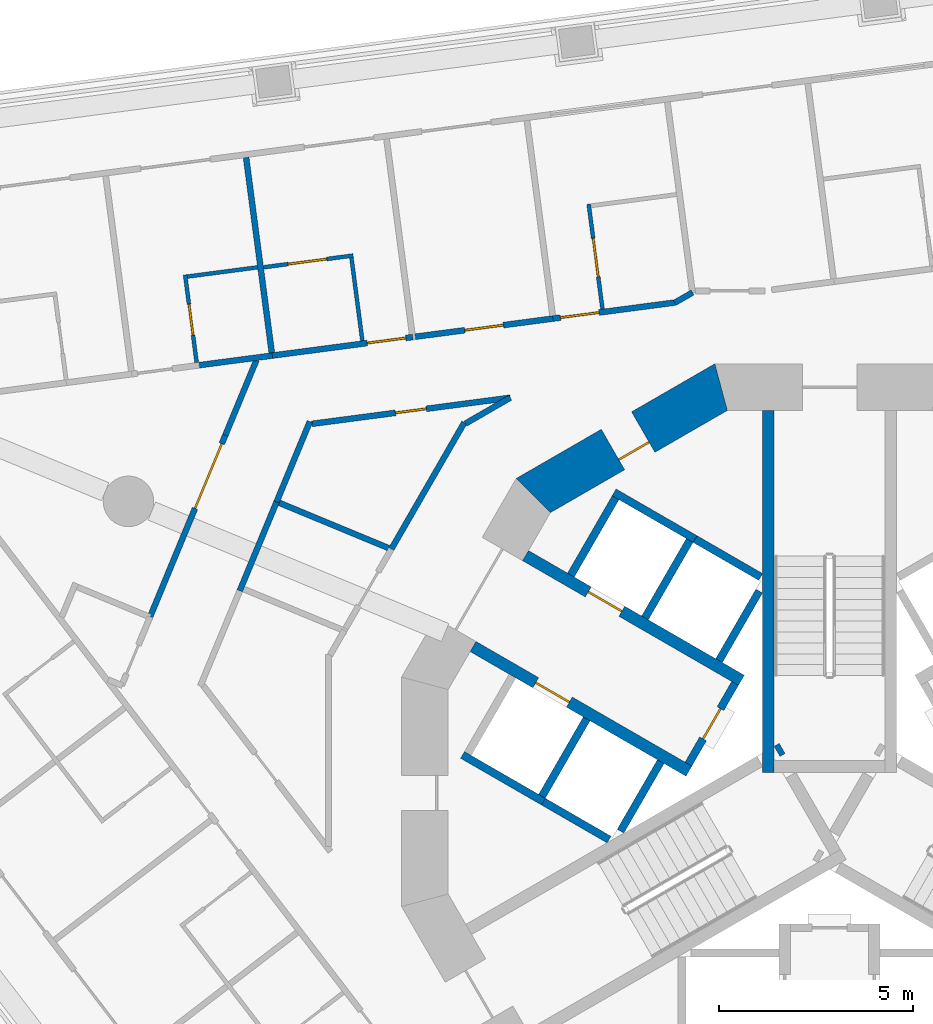
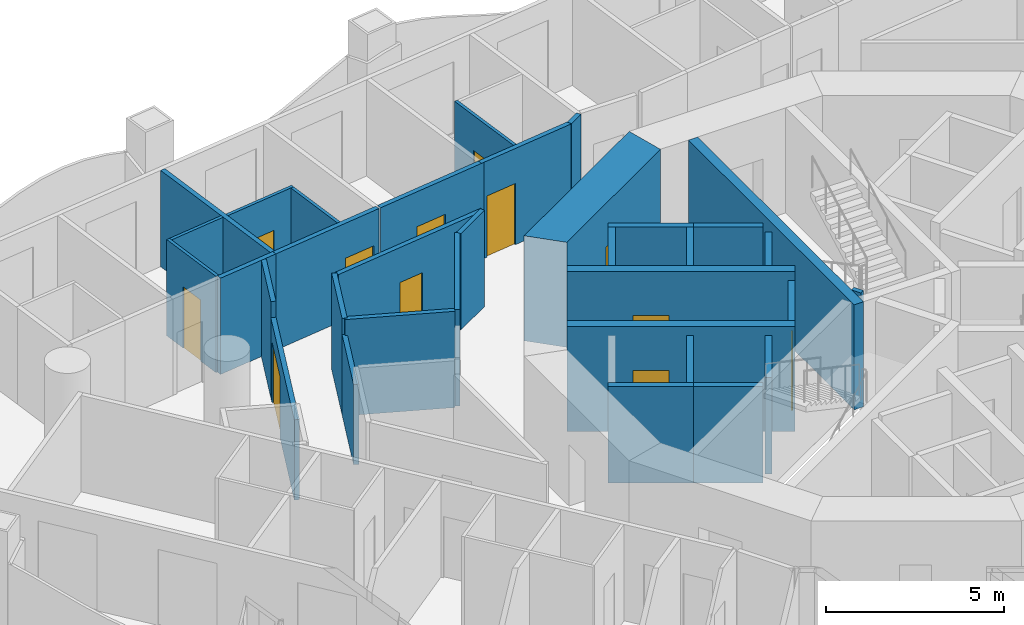
# One storey, part 7 of 19: 34 walls, 12 doors, 12 openings.
"""IFC4 building model written with IfcOpenShell, lengths in metres."""

from ifc_helpers import new_model, si_unit, direction, frame, frame_2d, origin, place, context, subcontext, project, spatial, polyline, rectangle, outline, extrude, material, layer, layer_set, type_object, element, fill, save


model = new_model("IFC4")

# Units and contexts
model_context = context("Model", 3, precision=1e-05, world=origin(), true_north=direction((0.0, 1.0)))
body_context = subcontext(model_context, "Body", "Model", "MODEL_VIEW")
ifc_project = project(units=[si_unit("LENGTHUNIT", "METRE"), si_unit("AREAUNIT", "SQUARE_METRE"), si_unit("VOLUMEUNIT", "CUBIC_METRE"), si_unit("PLANEANGLEUNIT", "RADIAN"), si_unit("MASSUNIT", "GRAM", prefix="KILO")], contexts=[model_context])

# Site, building, storey
site_placement = place(None, origin())
site = spatial("IfcSite", under=ifc_project, at=site_placement, CompositionType="ELEMENT")
building_placement = place(site_placement, origin())
building = spatial("IfcBuilding", under=site, at=building_placement, Name="Trine Commons Tower", CompositionType="ELEMENT")
storey_placement = place(building_placement, frame((0.0, 0.0, 57.60009765625)))
storey = spatial("IfcBuildingStorey", under=building, at=storey_placement, Name="L13", CompositionType="ELEMENT", Elevation=57.60009765625)

# Wall, opening, door
ifc_material_1 = material(Name="Fire-rated gypsum shaft wall system")
ifc_layer_1 = layer(ifc_material_1, 0.199951171875)
ifc_layer_set_1 = layer_set([ifc_layer_1], Name="Fire-rated gypsum shaft wall system")
wall_type_1 = type_object("IfcWallType", Name="Lobby end wall 200 mm, EI 120", PredefinedType="PARTITIONING", material=ifc_layer_set_1)
wall_1_placement = place(storey_placement, frame((77.569091796875, 65.2890625, 0.0), z_axis=(0.0, 0.0, 1.0), x_axis=(-0.50012165622, -0.865955154139, 0.0)))
wall_1 = element("IfcWall", 1, at=wall_1_placement, inside=storey, type_object=wall_type_1, Name="Lobby end wall L13", PredefinedType="PARTITIONING", context=body_context, shape_type="SweptSolid", body=[
    extrude(rectangle(XDim=2.39990234375, YDim=0.199951171875, at=frame_2d((1.199951171875, 0.0))), origin(), (0.0, 0.0, 1.0), 3.2998046875),
])
opening_1_placement = place(wall_1_placement, frame((0.749755859375, 0.0, 0.0)))
opening_1 = element("IfcOpeningElement", 2, at=opening_1_placement, cuts=wall_1, Name="Opening K04.07", PredefinedType="OPENING", context=body_context, shape_type="SweptSolid", body=[
    extrude(rectangle(XDim=0.89990234375, YDim=2.10009765625, at=frame_2d((0.449951171875, 1.050048828125))), frame((0.0, 0.10986328125, 0.0), z_axis=(0.0, -1.0, 0.0), x_axis=(1.0, 0.0, 0.0)), (0.0, 0.0, 1.0), 0.219970703125),
])
ifc_material_2 = material(Name="Steel door leaf, fire-rated", Category="steel")
door_type_1 = type_object("IfcDoorType", Name="Riser access door, single leaf 900 x 2100, FD60", OperationType="SINGLE_SWING_LEFT", PredefinedType="DOOR", material=ifc_material_2)
door_1_placement = place(opening_1_placement, frame((0.89990234375, 0.0, 0.0), z_axis=(0.0, 0.0, 1.0), x_axis=(-1.0, 0.0, 0.0)))
door_1 = element("IfcDoor", 3, at=door_1_placement, inside=storey, type_object=door_type_1, Name="Riser door, Mechanical riser L13", OperationType="SINGLE_SWING_RIGHT", OverallHeight=2.10009765625, OverallWidth=0.89990234375, PredefinedType="DOOR", context=body_context, shape_type="SweptSolid", body=[
    extrude(rectangle(XDim=0.89990234375, YDim=2.10009765625, at=frame_2d((0.449951171875, 1.050048828125))), frame((0.0, 0.02490234375, 0.0), z_axis=(0.0, -1.0, 0.0), x_axis=(1.0, 0.0, 0.0)), (0.0, 0.0, 1.0), 0.050048828125),
])
fill(opening_1, door_1)

ifc_material_3 = material(Name="Concrete C80/95", Category="concrete")
ifc_layer_2 = layer(ifc_material_3, 1.199951171875)
ifc_layer_set_2 = layer_set([ifc_layer_2], Name="Concrete C80/95")
wall_type_2 = type_object("IfcWallType", Name="RC shear wall 1200 mm, C80/95", PredefinedType="SHEAR", material=ifc_layer_set_2)
wall_2_placement = place(storey_placement, frame((77.349609375, 72.991943359375, 0.0), z_axis=(0.0, 0.0, 1.0), x_axis=(-0.866037463336, -0.499979111662, 0.0)))
wall_2 = element("IfcWall", 4, at=wall_2_placement, inside=storey, type_object=wall_type_2, Name="Core wall CWB-05 L13", PredefinedType="SHEAR", context=body_context, shape_type="SweptSolid", body=[
    extrude(outline(polyline([(0.0, -0.60009765625), (5.901123046875, -0.60009765625), (5.57958984375, 0.60009765625), (0.321533203125, 0.60009765625), (0.0, -0.60009765625)])), origin(), (0.0, 0.0, 1.0), 3.599853515625),
])
opening_2_placement = place(wall_2_placement, frame((2.474853515625, 0.0, 0.0)))
opening_2 = element("IfcOpeningElement", 5, at=opening_2_placement, cuts=wall_2, Name="Opening K04.13", PredefinedType="OPENING", context=body_context, shape_type="SweptSolid", body=[
    extrude(rectangle(XDim=0.89990234375, YDim=2.10009765625, at=frame_2d((0.449951171875, 1.050048828125))), frame((0.0, 0.60986328125, 0.0), z_axis=(0.0, -1.0, 0.0), x_axis=(1.0, 0.0, 0.0)), (0.0, 0.0, 1.0), 1.219970703125),
])
door_type_2 = type_object("IfcDoorType", Name="Core room door, single leaf 900 x 2100, FD30S", OperationType="SINGLE_SWING_LEFT", PredefinedType="DOOR", material=ifc_material_2)
door_2_placement = place(opening_2_placement, origin())
door_2 = element("IfcDoor", 6, at=door_2_placement, inside=storey, type_object=door_type_2, Name="Door to Comms room L13", OperationType="SINGLE_SWING_LEFT", OverallHeight=2.10009765625, OverallWidth=0.89990234375, PredefinedType="DOOR", context=body_context, shape_type="SweptSolid", body=[
    extrude(rectangle(XDim=0.89990234375, YDim=2.10009765625, at=frame_2d((0.449951171875, 1.050048828125))), frame((0.0, 0.3251953125, 0.0), z_axis=(0.0, -1.0, 0.0), x_axis=(1.0, 0.0, 0.0)), (0.0, 0.0, 1.0), 0.050048828125),
])
fill(opening_2, door_2)

ifc_layer_3 = layer(ifc_material_3, 0.300048828125)
ifc_layer_set_3 = layer_set([ifc_layer_3], Name="Concrete C80/95")
wall_type_3 = type_object("IfcWallType", Name="RC shear wall 300 mm, C80/95", PredefinedType="SHEAR", material=ifc_layer_set_3)
wall_3_placement = place(storey_placement, frame((76.381103515625, 63.031005859375, 0.0), z_axis=(0.0, 0.0, 1.0), x_axis=(-0.866032150378, 0.499988314375, 0.0)))
wall_3 = element("IfcWall", 7, at=wall_3_placement, inside=storey, type_object=wall_type_3, Name="Core cross wall SWA-01 L13", PredefinedType="SHEAR", context=body_context, shape_type="SweptSolid", body=[
    extrude(rectangle(XDim=6.412353515625, YDim=0.300048828125, at=frame_2d((3.2060546875, 0.0))), origin(), (0.0, 0.0, 1.0), 3.599853515625),
])
opening_3_placement = place(wall_3_placement, frame((3.55029296875, 0.0, 0.0)))
opening_3 = element("IfcOpeningElement", 8, at=opening_3_placement, cuts=wall_3, Name="Opening LD3", PredefinedType="OPENING", context=body_context, shape_type="SweptSolid", body=[
    extrude(rectangle(XDim=1.0, YDim=2.10009765625, at=frame_2d((0.5, 1.050048828125))), frame((0.0, 0.159912109375, 0.0), z_axis=(0.0, -1.0, 0.0), x_axis=(1.0, 0.0, 0.0)), (0.0, 0.0, 1.0), 0.320068359375),
])
ifc_material_4 = material(Name="Stainless steel sliding door leaves", Category="steel")
door_type_3 = type_object("IfcDoorType", Name="Lift landing door, centre-opening sliding 1000 x 2100, FD90", OperationType="DOUBLE_DOOR_SLIDING", PredefinedType="DOOR", material=ifc_material_4)
door_3_placement = place(opening_3_placement, origin())
door_3 = element("IfcDoor", 9, at=door_3_placement, inside=storey, type_object=door_type_3, Name="Lift landing door LR3 L13", OperationType="DOUBLE_DOOR_SLIDING", OverallHeight=2.10009765625, OverallWidth=1.0, PredefinedType="DOOR", context=body_context, shape_type="SweptSolid", body=[
    extrude(rectangle(XDim=1.0, YDim=2.10009765625, at=frame_2d((0.5, 1.050048828125))), frame((0.0, 0.02490234375, 0.0), z_axis=(0.0, -1.0, 0.0), x_axis=(1.0, 0.0, 0.0)), (0.0, 0.0, 1.0), 0.050048828125),
])
fill(opening_3, door_3)

wall_4_placement = place(storey_placement, frame((77.73095703125, 65.368896484375, 0.0), z_axis=(0.0, 0.0, 1.0), x_axis=(-0.866022631842, 0.500004801114, 0.0)))
wall_4 = element("IfcWall", 10, at=wall_4_placement, inside=storey, type_object=wall_type_3, Name="Core cross wall SWA-02 L13", PredefinedType="SHEAR", context=body_context, shape_type="SweptSolid", body=[
    extrude(rectangle(XDim=6.412109375, YDim=0.300048828125, at=frame_2d((3.2060546875, 0.0))), origin(), (0.0, 0.0, 1.0), 3.599853515625),
])
opening_4_placement = place(wall_4_placement, frame((3.55029296875, 0.0, 0.0)))
opening_4 = element("IfcOpeningElement", 11, at=opening_4_placement, cuts=wall_4, Name="Opening LD4", PredefinedType="OPENING", context=body_context, shape_type="SweptSolid", body=[
    extrude(rectangle(XDim=1.0, YDim=2.10009765625, at=frame_2d((0.5, 1.050048828125))), frame((0.0, 0.159912109375, 0.0), z_axis=(0.0, -1.0, 0.0), x_axis=(1.0, 0.0, 0.0)), (0.0, 0.0, 1.0), 0.320068359375),
])
door_4_placement = place(opening_4_placement, origin())
door_4 = element("IfcDoor", 12, at=door_4_placement, inside=storey, type_object=door_type_3, Name="Lift landing door LR4 L13", OperationType="DOUBLE_DOOR_SLIDING", OverallHeight=2.10009765625, OverallWidth=1.0, PredefinedType="DOOR", context=body_context, shape_type="SweptSolid", body=[
    extrude(rectangle(XDim=1.0, YDim=2.10009765625, at=frame_2d((0.5, 1.050048828125))), frame((0.0, 0.02490234375, 0.0), z_axis=(0.0, -1.0, 0.0), x_axis=(1.0, 0.0, 0.0)), (0.0, 0.0, 1.0), 0.050048828125),
])
fill(opening_4, door_4)

# Walls
wall_5_placement = place(storey_placement, frame((78.425048828125, 63.0009765625, 0.0), z_axis=(0.0, 0.0, 1.0), x_axis=(0.0, 1.0, 0.0)))
element("IfcWall", 13, at=wall_5_placement, inside=storey, type_object=wall_type_3, Name="Core cross wall SWA-08 L13", PredefinedType="SHEAR", context=body_context, shape_type="SweptSolid", body=[
    extrude(rectangle(XDim=9.31103515625, YDim=0.300048828125, at=frame_2d((4.655517578125, 0.0))), origin(), (0.0, 0.0, 1.0), 3.599853515625),
])
wall_6_placement = place(storey_placement, frame((78.779052734375, 63.614013671875, 0.0), z_axis=(0.0, 0.0, 1.0), x_axis=(-0.867737973955, -0.497021939713, 0.0)))
element("IfcWall", 14, at=wall_6_placement, inside=storey, type_object=wall_type_3, Name="Core cross wall SWA-09 L13", PredefinedType="SHEAR", context=body_context, shape_type="SweptSolid", body=[
    extrude(rectangle(XDim=0.14892578125, YDim=0.300048828125, at=frame_2d((0.074462890625, 0.0))), origin(), (0.0, 0.0, 1.0), 3.599853515625),
])
ifc_layer_4 = layer(ifc_material_1, 0.199951171875)
ifc_layer_set_4 = layer_set([ifc_layer_4], Name="Fire-rated gypsum shaft wall system")
wall_type_4 = type_object("IfcWallType", Name="Shaft wall 200 mm, EI 120", PredefinedType="PARTITIONING", material=ifc_layer_set_4)
wall_7_placement = place(storey_placement, frame((72.637939453125, 62.248046875, 0.0), z_axis=(0.0, 0.0, 1.0), x_axis=(-0.866177122335, 0.499737123639, 0.0)))
element("IfcWall", 15, at=wall_7_placement, inside=storey, type_object=wall_type_4, Name="Shaft wall L13", PredefinedType="PARTITIONING", context=body_context, shape_type="SweptSolid", body=[
    extrude(rectangle(XDim=2.401123046875, YDim=0.199951171875, at=frame_2d((1.20068359375, 0.0))), origin(), (0.0, 0.0, 1.0), 3.2998046875),
])
wall_8_placement = place(storey_placement, frame((73.344970703125, 68.073974609375, 0.0), z_axis=(0.0, 0.0, 1.0), x_axis=(0.500215680983, 0.865900844496, 0.0)))
element("IfcWall", 16, at=wall_8_placement, inside=storey, type_object=wall_type_4, Name="Shaft wall L13", PredefinedType="PARTITIONING", context=body_context, shape_type="SweptSolid", body=[
    extrude(rectangle(XDim=2.29931640625, YDim=0.199951171875, at=frame_2d((1.149658203125, 0.0))), origin(), (0.0, 0.0, 1.0), 3.2998046875),
])
wall_9_placement = place(storey_placement, frame((73.7509765625, 64.3759765625, 0.0), z_axis=(0.0, 0.0, 1.0), x_axis=(-0.500136062276, -0.86594683394, 0.0)))
element("IfcWall", 17, at=wall_9_placement, inside=storey, type_object=wall_type_4, Name="Shaft wall L13", PredefinedType="PARTITIONING", context=body_context, shape_type="SweptSolid", body=[
    extrude(rectangle(XDim=2.299072265625, YDim=0.199951171875, at=frame_2d((1.1494140625, 0.0))), origin(), (0.0, 0.0, 1.0), 3.2998046875),
])
wall_10_placement = place(storey_placement, frame((74.324951171875, 61.27294921875, 0.0), z_axis=(0.0, 0.0, 1.0), x_axis=(-0.865780634835, 0.500423712812, 0.0)))
element("IfcWall", 18, at=wall_10_placement, inside=storey, type_object=wall_type_4, Name="Shaft wall L13", PredefinedType="PARTITIONING", context=body_context, shape_type="SweptSolid", body=[
    extrude(rectangle(XDim=1.948486328125, YDim=0.199951171875, at=frame_2d((0.97412109375, 0.0))), origin(), (0.0, 0.0, 1.0), 3.2998046875),
])
wall_11_placement = place(storey_placement, frame((75.2509765625, 66.97412109375, 0.0), z_axis=(0.0, 0.0, 1.0), x_axis=(0.500136062276, 0.86594683394, 0.0)))
element("IfcWall", 19, at=wall_11_placement, inside=storey, type_object=wall_type_4, Name="Shaft wall L13", PredefinedType="PARTITIONING", context=body_context, shape_type="SweptSolid", body=[
    extrude(rectangle(XDim=2.299072265625, YDim=0.199951171875, at=frame_2d((1.1494140625, 0.0))), origin(), (0.0, 0.0, 1.0), 3.2998046875),
])
wall_12_placement = place(storey_placement, frame((75.656005859375, 63.27587890625, 0.0), z_axis=(0.0, 0.0, 1.0), x_axis=(-0.500271688072, -0.86586848777, 0.0)))
element("IfcWall", 20, at=wall_12_placement, inside=storey, type_object=wall_type_4, Name="Shaft wall L13", PredefinedType="PARTITIONING", context=body_context, shape_type="SweptSolid", body=[
    extrude(rectangle(XDim=2.064697265625, YDim=0.199951171875, at=frame_2d((1.0322265625, 0.0))), origin(), (0.0, 0.0, 1.0), 3.2998046875),
])
wall_13_placement = place(storey_placement, frame((76.5380859375, 69.001953125, 0.0), z_axis=(0.0, 0.0, 1.0), x_axis=(-0.866202511239, 0.499693115345, 0.0)))
element("IfcWall", 21, at=wall_13_placement, inside=storey, type_object=wall_type_4, Name="Shaft wall L13", PredefinedType="PARTITIONING", context=body_context, shape_type="SweptSolid", body=[
    extrude(rectangle(XDim=2.4013671875, YDim=0.199951171875, at=frame_2d((1.20068359375, 0.0))), origin(), (0.0, 0.0, 1.0), 3.2998046875),
])
wall_14_placement = place(storey_placement, frame((77.156005859375, 65.8740234375, 0.0), z_axis=(0.0, 0.0, 1.0), x_axis=(0.499865770674, 0.866102887253, 0.0)))
element("IfcWall", 22, at=wall_14_placement, inside=storey, type_object=wall_type_4, Name="Shaft wall L13", PredefinedType="PARTITIONING", context=body_context, shape_type="SweptSolid", body=[
    extrude(rectangle(XDim=2.064453125, YDim=0.199951171875, at=frame_2d((1.0322265625, 0.0))), origin(), (0.0, 0.0, 1.0), 3.2998046875),
])
wall_15_placement = place(storey_placement, frame((78.22509765625, 68.028076171875, 0.0), z_axis=(0.0, 0.0, 1.0), x_axis=(-0.866052014814, 0.499953905513, 0.0)))
element("IfcWall", 23, at=wall_15_placement, inside=storey, type_object=wall_type_4, Name="Shaft wall L13", PredefinedType="PARTITIONING", context=body_context, shape_type="SweptSolid", body=[
    extrude(rectangle(XDim=1.947998046875, YDim=0.199951171875, at=frame_2d((0.97412109375, 0.0))), origin(), (0.0, 0.0, 1.0), 3.2998046875),
])

# Wall, opening, door
ifc_material_5 = material(Name="Gypsum plasterboard on steel stud", Category="steel")
ifc_layer_5 = layer(ifc_material_5, 0.14990234375)
ifc_layer_set_5 = layer_set([ifc_layer_5], Name="Gypsum plasterboard on steel stud")
wall_type_5 = type_object("IfcWallType", Name="Unit and corridor wall 150 mm, EI 60", PredefinedType="PARTITIONING", material=ifc_layer_set_5)
wall_16_placement = place(storey_placement, frame((62.52197265625, 67.007080078125, 0.0), z_axis=(0.0, 0.0, 1.0), x_axis=(0.382650715136, 0.923893083753, 0.0)))
wall_16 = element("IfcWall", 24, at=wall_16_placement, inside=storey, type_object=wall_type_5, Name="Partition 022", PredefinedType="PARTITIONING", context=body_context, shape_type="SweptSolid", body=[
    extrude(rectangle(XDim=5.04931640625, YDim=0.14990234375, at=frame_2d((2.524658203125, 0.0))), origin(), (0.0, 0.0, 1.0), 2.75),
])
opening_5_placement = place(wall_16_placement, frame((3.014404296875, 0.0, 0.0)))
opening_5 = element("IfcOpeningElement", 25, at=opening_5_placement, cuts=wall_16, Name="Opening D-2A03", PredefinedType="OPENING", context=body_context, shape_type="SweptSolid", body=[
    extrude(rectangle(XDim=1.800048828125, YDim=2.10009765625, at=frame_2d((0.89990234375, 1.050048828125))), frame((0.0, 0.0849609375, 0.0), z_axis=(0.0, -1.0, 0.0), x_axis=(1.0, 0.0, 0.0)), (0.0, 0.0, 1.0), 0.169921875),
])
ifc_material_6 = material(Name="Timber fire door set", Category="wood")
door_type_4 = type_object("IfcDoorType", Name="Cluster entrance door 1800 x 2100, double leaf, FD30S", OperationType="DOUBLE_DOOR_DOUBLE_SWING", PredefinedType="DOOR", material=ifc_material_6)
door_5_placement = place(opening_5_placement, origin())
door_5 = element("IfcDoor", 26, at=door_5_placement, inside=storey, type_object=door_type_4, Name="Door D-2A03", OperationType="DOUBLE_DOOR_DOUBLE_SWING", OverallHeight=2.10009765625, OverallWidth=1.800048828125, PredefinedType="DOOR", context=body_context, shape_type="SweptSolid", body=[
    extrude(rectangle(XDim=1.800048828125, YDim=2.10009765625, at=frame_2d((0.89990234375, 1.050048828125))), frame((0.0, 0.02490234375, 0.0), z_axis=(0.0, -1.0, 0.0), x_axis=(1.0, 0.0, 0.0)), (0.0, 0.0, 1.0), 0.050048828125),
])
fill(opening_5, door_5)

# Walls
wall_17_placement = place(storey_placement, frame((63.722900390625, 73.467041015625, 0.0), z_axis=(0.0, 0.0, 1.0), x_axis=(0.991489487772, 0.130186772134, 0.0)))
element("IfcWall", 27, at=wall_17_placement, inside=storey, type_object=wall_type_5, Name="Partition 027", PredefinedType="PARTITIONING", context=body_context, shape_type="SweptSolid", body=[
    extrude(rectangle(XDim=1.957763671875, YDim=0.14990234375, at=frame_2d((0.97900390625, 0.0))), origin(), (0.0, 0.0, 1.0), 3.2998046875),
])
wall_18_placement = place(storey_placement, frame((64.4541015625, 71.672119140625, 0.0), z_axis=(0.0, 0.0, 1.0), x_axis=(0.382922635391, 0.923780415091, 0.0)))
element("IfcWall", 28, at=wall_18_placement, inside=storey, type_object=wall_type_5, Name="Partition 030", PredefinedType="PARTITIONING", context=body_context, shape_type="SweptSolid", body=[
    extrude(rectangle(XDim=2.08984375, YDim=0.14990234375, at=frame_2d((1.044921875, 0.0))), origin(), (0.0, 0.0, 1.0), 3.2998046875),
])
wall_19_placement = place(storey_placement, frame((64.826416015625, 67.671630859375, 0.0), z_axis=(0.0, 0.0, 1.0), x_axis=(0.382785873713, 0.923837093261, 0.0)))
element("IfcWall", 29, at=wall_19_placement, inside=storey, type_object=wall_type_5, Name="Partition 033", PredefinedType="PARTITIONING", context=body_context, shape_type="SweptSolid", body=[
    extrude(rectangle(XDim=2.483642578125, YDim=0.14990234375, at=frame_2d((1.24169921875, 0.0))), origin(), (0.0, 0.0, 1.0), 2.75),
])
wall_20_placement = place(storey_placement, frame((64.9892578125, 78.8173828125, 0.0), z_axis=(0.0, 0.0, 1.0), x_axis=(0.130499406053, -0.991448387471, 0.0)))
element("IfcWall", 30, at=wall_20_placement, inside=storey, type_object=wall_type_5, Name="Partition 035", PredefinedType="PARTITIONING", context=body_context, shape_type="SweptSolid", body=[
    extrude(rectangle(XDim=5.064208984375, YDim=0.14990234375, at=frame_2d((2.5322265625, 0.0))), origin(), (0.0, 0.0, 1.0), 3.2998046875),
])

# Wall, opening, door
wall_21_placement = place(storey_placement, frame((65.656005859375, 73.720947265625, 0.0), z_axis=(0.0, 0.0, 1.0), x_axis=(0.991433351305, 0.130613590106, 0.0)))
wall_21 = element("IfcWall", 31, at=wall_21_placement, inside=storey, type_object=wall_type_5, Name="Partition 037", PredefinedType="PARTITIONING", context=body_context, shape_type="SweptSolid", body=[
    extrude(rectangle(XDim=3.65234375, YDim=0.14990234375, at=frame_2d((1.826171875, 0.0))), origin(), (0.0, 0.0, 1.0), 3.2998046875),
])
opening_6_placement = place(wall_21_placement, frame((2.47314453125, 0.0, 0.0)))
opening_6 = element("IfcOpeningElement", 32, at=opening_6_placement, cuts=wall_21, Name="Opening D-2A09", PredefinedType="OPENING", context=body_context, shape_type="SweptSolid", body=[
    extrude(rectangle(XDim=1.0, YDim=2.10009765625, at=frame_2d((0.5, 1.050048828125))), frame((0.0, 0.0849609375, 0.0), z_axis=(0.0, -1.0, 0.0), x_axis=(1.0, 0.0, 0.0)), (0.0, 0.0, 1.0), 0.169921875),
])
door_type_5 = type_object("IfcDoorType", Name="Bedroom door 1000 x 2100, FD30S", OperationType="NOTDEFINED", PredefinedType="DOOR", material=ifc_material_6)
door_6_placement = place(opening_6_placement, origin())
door_6 = element("IfcDoor", 33, at=door_6_placement, inside=storey, type_object=door_type_5, Name="Door D-2A09", OperationType="SINGLE_SWING_RIGHT", OverallHeight=2.10009765625, OverallWidth=1.0, PredefinedType="DOOR", context=body_context, shape_type="SweptSolid", body=[
    extrude(rectangle(XDim=1.0, YDim=2.10009765625, at=frame_2d((0.5, 1.050048828125))), frame((0.0, 0.02490234375, 0.0), z_axis=(0.0, -1.0, 0.0), x_axis=(1.0, 0.0, 0.0)), (0.0, 0.0, 1.0), 0.050048828125),
])
fill(opening_6, door_6)

# Walls
wall_22_placement = place(storey_placement, frame((65.77392578125, 69.9580078125, 0.0), z_axis=(0.0, 0.0, 1.0), x_axis=(0.382599241046, 0.923914401203, 0.0)))
element("IfcWall", 34, at=wall_22_placement, inside=storey, type_object=wall_type_5, Name="Partition 039", PredefinedType="PARTITIONING", context=body_context, shape_type="SweptSolid", body=[
    extrude(rectangle(XDim=2.236572265625, YDim=0.14990234375, at=frame_2d((1.1181640625, 0.0))), origin(), (0.0, 0.0, 1.0), 3.2998046875),
])
wall_23_placement = place(storey_placement, frame((65.77490234375, 69.9619140625, 0.0), z_axis=(0.0, 0.0, 1.0), x_axis=(0.923918484918, -0.382589379397, 0.0)))
element("IfcWall", 35, at=wall_23_placement, inside=storey, type_object=wall_type_5, Name="Partition 040", PredefinedType="PARTITIONING", context=body_context, shape_type="SweptSolid", body=[
    extrude(rectangle(XDim=3.115966796875, YDim=0.14990234375, at=frame_2d((1.55810546875, 0.0))), origin(), (0.0, 0.0, 1.0), 3.2998046875),
])

# Wall, opening, door
wall_24_placement = place(storey_placement, frame((66.67529296875, 71.96484375, 0.0), z_axis=(0.0, 0.0, 1.0), x_axis=(0.991459293276, 0.130416524172, 0.0)))
wall_24 = element("IfcWall", 36, at=wall_24_placement, inside=storey, type_object=wall_type_5, Name="Partition 041", PredefinedType="PARTITIONING", context=body_context, shape_type="SweptSolid", body=[
    extrude(rectangle(XDim=5.153564453125, YDim=0.14990234375, at=frame_2d((2.57666015625, 0.0))), origin(), (0.0, 0.0, 1.0), 3.2998046875),
])
opening_7_placement = place(wall_24_placement, frame((2.17578125, 0.0, 0.0)))
opening_7 = element("IfcOpeningElement", 37, at=opening_7_placement, cuts=wall_24, Name="Opening D-2A39", PredefinedType="OPENING", context=body_context, shape_type="SweptSolid", body=[
    extrude(rectangle(XDim=0.800048828125, YDim=2.10009765625, at=frame_2d((0.39990234375, 1.050048828125))), frame((0.0, 0.0849609375, 0.0), z_axis=(0.0, -1.0, 0.0), x_axis=(1.0, 0.0, 0.0)), (0.0, 0.0, 1.0), 0.169921875),
])
ifc_material_7 = material(Name="Painted timber", Category="wood")
door_type_6 = type_object("IfcDoorType", Name="Toilet door 800 x 2100, NOT RATED", OperationType="NOTDEFINED", PredefinedType="DOOR", material=ifc_material_7)
door_7_placement = place(opening_7_placement, frame((0.800048828125, 0.0, 0.0), z_axis=(0.0, 0.0, 1.0), x_axis=(-1.0, 0.0, 0.0)))
door_7 = element("IfcDoor", 38, at=door_7_placement, inside=storey, type_object=door_type_6, Name="Door D-2A39", OperationType="SINGLE_SWING_RIGHT", OverallHeight=2.10009765625, OverallWidth=0.800048828125, PredefinedType="DOOR", context=body_context, shape_type="SweptSolid", body=[
    extrude(rectangle(XDim=0.800048828125, YDim=2.10009765625, at=frame_2d((0.39990234375, 1.050048828125))), frame((0.0, 0.02490234375, 0.0), z_axis=(0.0, -1.0, 0.0), x_axis=(1.0, 0.0, 0.0)), (0.0, 0.0, 1.0), 0.050048828125),
])
fill(opening_7, door_7)

# Wall
wall_25_placement = place(storey_placement, frame((68.720947265625, 68.737060546875, 0.0), z_axis=(0.0, 0.0, 1.0), x_axis=(0.499855260579, 0.866108953002, 0.0)))
element("IfcWall", 39, at=wall_25_placement, inside=storey, type_object=wall_type_5, Name="Partition 050", PredefinedType="PARTITIONING", context=body_context, shape_type="SweptSolid", body=[
    extrude(rectangle(XDim=3.76611328125, YDim=0.14990234375, at=frame_2d((1.883056640625, 0.0))), origin(), (0.0, 0.0, 1.0), 3.2998046875),
])

# Wall, opening, door
wall_26_placement = place(storey_placement, frame((69.343505859375, 74.206787109375, 0.0), z_axis=(0.0, 0.0, 1.0), x_axis=(0.991427646688, 0.130656884173, 0.0)))
wall_26 = element("IfcWall", 40, at=wall_26_placement, inside=storey, type_object=wall_type_5, Name="Partition 053", PredefinedType="PARTITIONING", context=body_context, shape_type="SweptSolid", body=[
    extrude(rectangle(XDim=3.651123046875, YDim=0.14990234375, at=frame_2d((1.82568359375, 0.0))), origin(), (0.0, 0.0, 1.0), 3.2998046875),
])
opening_8_placement = place(wall_26_placement, frame((1.285888671875, 0.0, 0.0)))
opening_8 = element("IfcOpeningElement", 41, at=opening_8_placement, cuts=wall_26, Name="Opening D-2A10", PredefinedType="OPENING", context=body_context, shape_type="SweptSolid", body=[
    extrude(rectangle(XDim=1.0, YDim=2.10009765625, at=frame_2d((0.5, 1.050048828125))), frame((0.0, 0.0849609375, 0.0), z_axis=(0.0, -1.0, 0.0), x_axis=(1.0, 0.0, 0.0)), (0.0, 0.0, 1.0), 0.169921875),
])
door_type_7 = type_object("IfcDoorType", Name="Amenity room door 1000 x 2100, NOT RATED", OperationType="NOTDEFINED", PredefinedType="DOOR", material=ifc_material_7)
door_8_placement = place(opening_8_placement, origin())
door_8 = element("IfcDoor", 42, at=door_8_placement, inside=storey, type_object=door_type_7, Name="Door D-2A10", OperationType="SINGLE_SWING_LEFT", OverallHeight=2.10009765625, OverallWidth=1.0, PredefinedType="DOOR", context=body_context, shape_type="SweptSolid", body=[
    extrude(rectangle(XDim=1.0, YDim=2.10009765625, at=frame_2d((0.5, 1.050048828125))), frame((0.0, 0.02490234375, 0.0), z_axis=(0.0, -1.0, 0.0), x_axis=(1.0, 0.0, 0.0)), (0.0, 0.0, 1.0), 0.050048828125),
])
fill(opening_8, door_8)

# Wall
wall_27_placement = place(storey_placement, frame((70.630859375, 71.971435546875, 0.0), z_axis=(0.0, 0.0, 1.0), x_axis=(0.865822790046, 0.500350773195, 0.0)))
element("IfcWall", 43, at=wall_27_placement, inside=storey, type_object=wall_type_5, Name="Partition 056", PredefinedType="PARTITIONING", context=body_context, shape_type="SweptSolid", body=[
    extrude(rectangle(XDim=1.333984375, YDim=0.14990234375, at=frame_2d((0.6669921875, 0.0))), origin(), (0.0, 0.0, 1.0), 3.2998046875),
])

# Wall, opening, door
wall_28_placement = place(storey_placement, frame((72.881103515625, 74.673095703125, 0.0), z_axis=(0.0, 0.0, 1.0), x_axis=(0.991447742753, 0.130504304105, 0.0)))
wall_28 = element("IfcWall", 44, at=wall_28_placement, inside=storey, type_object=wall_type_5, Name="Partition 063", PredefinedType="PARTITIONING", context=body_context, shape_type="SweptSolid", body=[
    extrude(rectangle(XDim=3.1708984375, YDim=0.14990234375, at=frame_2d((1.58544921875, 0.0))), origin(), (0.0, 0.0, 1.0), 3.2998046875),
])
opening_9_placement = place(wall_28_placement, frame((0.197998046875, 0.0, 0.0)))
opening_9 = element("IfcOpeningElement", 45, at=opening_9_placement, cuts=wall_28, Name="Opening D-2A11", PredefinedType="OPENING", context=body_context, shape_type="SweptSolid", body=[
    extrude(rectangle(XDim=1.0, YDim=2.10009765625, at=frame_2d((0.5, 1.050048828125))), frame((0.0, 0.0849609375, 0.0), z_axis=(0.0, -1.0, 0.0), x_axis=(1.0, 0.0, 0.0)), (0.0, 0.0, 1.0), 0.169921875),
])
door_9_placement = place(opening_9_placement, origin())
door_9 = element("IfcDoor", 46, at=door_9_placement, inside=storey, type_object=door_type_5, Name="Door D-2A11", OperationType="SINGLE_SWING_LEFT", OverallHeight=2.10009765625, OverallWidth=1.0, PredefinedType="DOOR", context=body_context, shape_type="SweptSolid", body=[
    extrude(rectangle(XDim=1.0, YDim=2.10009765625, at=frame_2d((0.5, 1.050048828125))), frame((0.0, 0.02490234375, 0.0), z_axis=(0.0, -1.0, 0.0), x_axis=(1.0, 0.0, 0.0)), (0.0, 0.0, 1.0), 0.050048828125),
])
fill(opening_9, door_9)

# Wall
wall_29_placement = place(storey_placement, frame((76.01806640625, 75.08203125, 0.0), z_axis=(0.0, 0.0, 1.0), x_axis=(0.866446896963, 0.499269240734, 0.0)))
element("IfcWall", 47, at=wall_29_placement, inside=storey, type_object=wall_type_5, Name="Partition 074", PredefinedType="PARTITIONING", context=body_context, shape_type="SweptSolid", body=[
    extrude(rectangle(XDim=0.528564453125, YDim=0.14990234375, at=frame_2d((0.26416015625, 0.0))), origin(), (0.0, 0.0, 1.0), 3.2998046875),
])

# Wall, opening, door
ifc_layer_6 = layer(ifc_material_5, 0.10009765625)
ifc_layer_set_6 = layer_set([ifc_layer_6], Name="Gypsum plasterboard on steel stud")
wall_type_6 = type_object("IfcWallType", Name="Unit partition 100 mm, no rating", PredefinedType="PARTITIONING", material=ifc_layer_set_6)
wall_30_placement = place(storey_placement, frame((63.42041015625, 75.797607421875, 0.0), z_axis=(0.0, 0.0, 1.0), x_axis=(0.130518372124, -0.991445890878, 0.0)))
wall_30 = element("IfcWall", 48, at=wall_30_placement, inside=storey, type_object=wall_type_6, Name="Partition 025", PredefinedType="PARTITIONING", context=body_context, shape_type="SweptSolid", body=[
    extrude(rectangle(XDim=2.274658203125, YDim=0.10009765625, at=frame_2d((1.13720703125, 0.0))), origin(), (0.0, 0.0, 1.0), 3.2998046875),
])
opening_10_placement = place(wall_30_placement, frame((0.76220703125, 0.0, 0.0)))
opening_10 = element("IfcOpeningElement", 49, at=opening_10_placement, cuts=wall_30, Name="Opening D-2A42", PredefinedType="OPENING", context=body_context, shape_type="SweptSolid", body=[
    extrude(rectangle(XDim=0.800048828125, YDim=2.10009765625, at=frame_2d((0.39990234375, 1.050048828125))), frame((0.0, 0.06005859375, 0.0), z_axis=(0.0, -1.0, 0.0), x_axis=(1.0, 0.0, 0.0)), (0.0, 0.0, 1.0), 0.1201171875),
])
door_type_8 = type_object("IfcDoorType", Name="Internal door 800 x 2100, NOT RATED", OperationType="NOTDEFINED", PredefinedType="DOOR", material=ifc_material_7)
door_10_placement = place(opening_10_placement, frame((0.800048828125, 0.0, 0.0), z_axis=(0.0, 0.0, 1.0), x_axis=(-1.0, 0.0, 0.0)))
door_10 = element("IfcDoor", 50, at=door_10_placement, inside=storey, type_object=door_type_8, Name="Door D-2A42", OperationType="SINGLE_SWING_LEFT", OverallHeight=2.10009765625, OverallWidth=0.800048828125, PredefinedType="DOOR", context=body_context, shape_type="SweptSolid", body=[
    extrude(rectangle(XDim=0.800048828125, YDim=2.10009765625, at=frame_2d((0.39990234375, 1.050048828125))), frame((0.0, 0.02490234375, 0.0), z_axis=(0.0, -1.0, 0.0), x_axis=(1.0, 0.0, 0.0)), (0.0, 0.0, 1.0), 0.050048828125),
])
fill(opening_10, door_10)

# Wall
wall_31_placement = place(storey_placement, frame((63.4765625, 75.75439453125, 0.0), z_axis=(0.0, 0.0, 1.0), x_axis=(0.991471592706, 0.13032298668, 0.0)))
element("IfcWall", 51, at=wall_31_placement, inside=storey, type_object=wall_type_6, Name="Partition 026", PredefinedType="PARTITIONING", context=body_context, shape_type="SweptSolid", body=[
    extrude(rectangle(XDim=1.82470703125, YDim=0.10009765625, at=frame_2d((0.912353515625, 0.0))), origin(), (0.0, 0.0, 1.0), 3.2998046875),
])

# Wall, opening, door
wall_32_placement = place(storey_placement, frame((65.4375, 75.992919921875, 0.0), z_axis=(0.0, 0.0, 1.0), x_axis=(0.991499984132, 0.130106807916, 0.0)))
wall_32 = element("IfcWall", 52, at=wall_32_placement, inside=storey, type_object=wall_type_6, Name="Partition 036", PredefinedType="PARTITIONING", context=body_context, shape_type="SweptSolid", body=[
    extrude(rectangle(XDim=2.324951171875, YDim=0.10009765625, at=frame_2d((1.16259765625, 0.0))), origin(), (0.0, 0.0, 1.0), 3.2998046875),
])
opening_11_placement = place(wall_32_placement, frame((0.637451171875, 0.0, 0.0)))
opening_11 = element("IfcOpeningElement", 53, at=opening_11_placement, cuts=wall_32, Name="Opening D-2A43", PredefinedType="OPENING", context=body_context, shape_type="SweptSolid", body=[
    extrude(rectangle(XDim=1.0, YDim=2.10009765625, at=frame_2d((0.5, 1.050048828125))), frame((0.0, 0.06005859375, 0.0), z_axis=(0.0, -1.0, 0.0), x_axis=(1.0, 0.0, 0.0)), (0.0, 0.0, 1.0), 0.1201171875),
])
door_type_9 = type_object("IfcDoorType", Name="Internal door 1000 x 2100, NOT RATED", OperationType="NOTDEFINED", PredefinedType="DOOR", material=ifc_material_7)
door_11_placement = place(opening_11_placement, origin())
door_11 = element("IfcDoor", 54, at=door_11_placement, inside=storey, type_object=door_type_9, Name="Door D-2A43", OperationType="SINGLE_SWING_LEFT", OverallHeight=2.10009765625, OverallWidth=1.0, PredefinedType="DOOR", context=body_context, shape_type="SweptSolid", body=[
    extrude(rectangle(XDim=1.0, YDim=2.10009765625, at=frame_2d((0.5, 1.050048828125))), frame((0.0, 0.02490234375, 0.0), z_axis=(0.0, -1.0, 0.0), x_axis=(1.0, 0.0, 0.0)), (0.0, 0.0, 1.0), 0.050048828125),
])
fill(opening_11, door_11)

# Wall
wall_33_placement = place(storey_placement, frame((67.699462890625, 76.239501953125, 0.0), z_axis=(0.0, 0.0, 1.0), x_axis=(0.130322595805, -0.991471644084, 0.0)))
element("IfcWall", 55, at=wall_33_placement, inside=storey, type_object=wall_type_6, Name="Partition 048", PredefinedType="PARTITIONING", context=body_context, shape_type="SweptSolid", body=[
    extrude(rectangle(XDim=2.154296875, YDim=0.10009765625, at=frame_2d((1.0771484375, 0.0))), origin(), (0.0, 0.0, 1.0), 3.2998046875),
])

# Wall, opening, door
wall_34_placement = place(storey_placement, frame((73.802490234375, 77.61865234375, 0.0), z_axis=(0.0, 0.0, 1.0), x_axis=(0.130514759302, -0.991446366479, 0.0)))
wall_34 = element("IfcWall", 56, at=wall_34_placement, inside=storey, type_object=wall_type_6, Name="Partition 066", PredefinedType="PARTITIONING", context=body_context, shape_type="SweptSolid", body=[
    extrude(rectangle(XDim=2.725341796875, YDim=0.10009765625, at=frame_2d((1.36279296875, 0.0))), origin(), (0.0, 0.0, 1.0), 3.2998046875),
])
opening_12_placement = place(wall_34_placement, frame((0.8876953125, 0.0, 0.0)))
opening_12 = element("IfcOpeningElement", 57, at=opening_12_placement, cuts=wall_34, Name="Opening D-2A44", PredefinedType="OPENING", context=body_context, shape_type="SweptSolid", body=[
    extrude(rectangle(XDim=1.0, YDim=2.10009765625, at=frame_2d((0.5, 1.050048828125))), frame((0.0, 0.06005859375, 0.0), z_axis=(0.0, -1.0, 0.0), x_axis=(1.0, 0.0, 0.0)), (0.0, 0.0, 1.0), 0.1201171875),
])
door_12_placement = place(opening_12_placement, frame((1.0, 0.0, 0.0), z_axis=(0.0, 0.0, 1.0), x_axis=(-1.0, 0.0, 0.0)))
door_12 = element("IfcDoor", 58, at=door_12_placement, inside=storey, type_object=door_type_9, Name="Door D-2A44", OperationType="SINGLE_SWING_LEFT", OverallHeight=2.10009765625, OverallWidth=1.0, PredefinedType="DOOR", context=body_context, shape_type="SweptSolid", body=[
    extrude(rectangle(XDim=1.0, YDim=2.10009765625, at=frame_2d((0.5, 1.050048828125))), frame((0.0, 0.02490234375, 0.0), z_axis=(0.0, -1.0, 0.0), x_axis=(1.0, 0.0, 0.0)), (0.0, 0.0, 1.0), 0.050048828125),
])
fill(opening_12, door_12)

save(model, "model.ifc")
